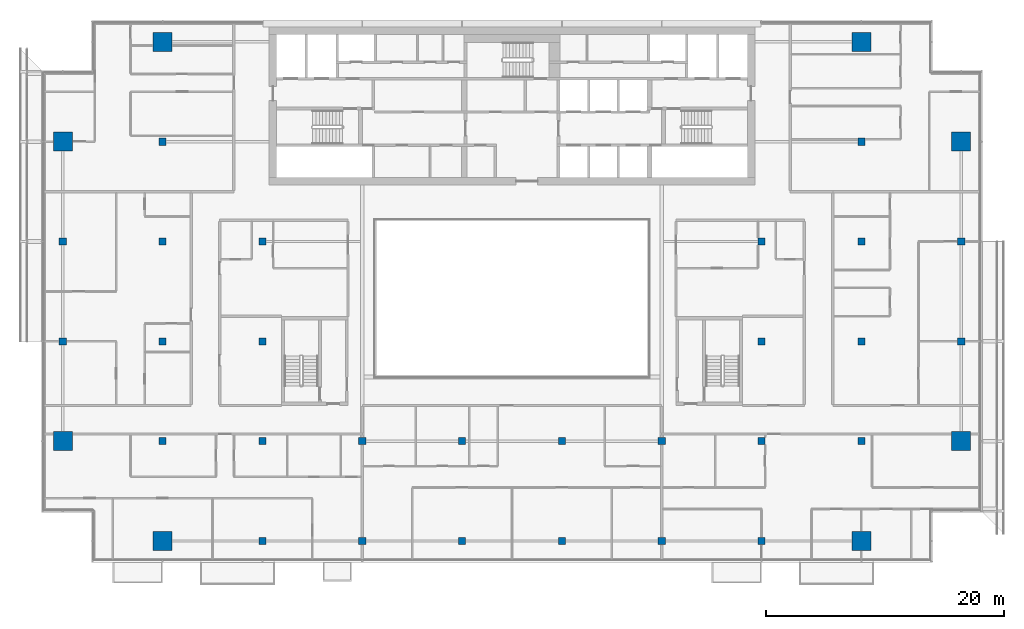
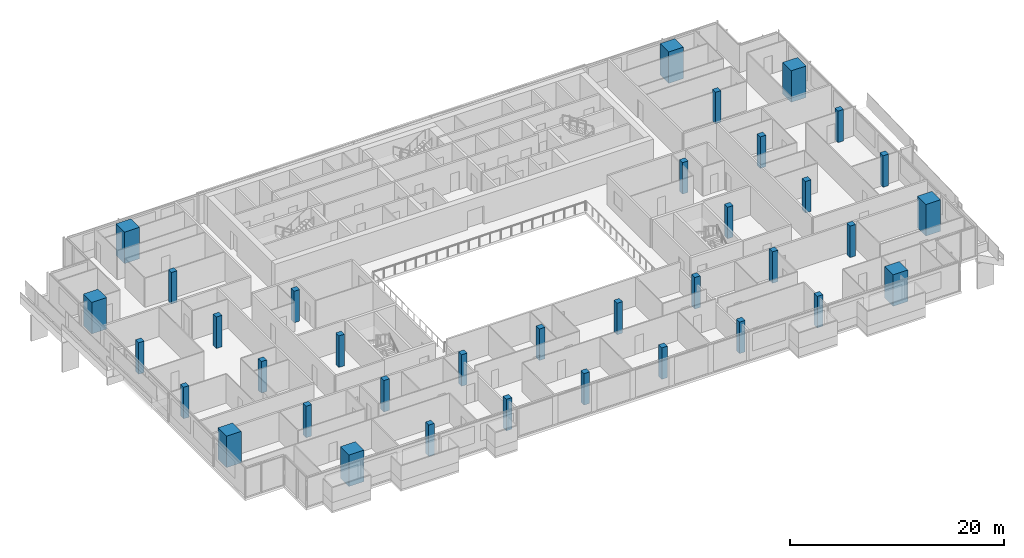
# One storey, part 1 of 29: 36 columns.
"""IFC4 building model written with IfcOpenShell, lengths in metres."""

from ifc_helpers import new_model, si_unit, direction, frame, origin, origin_2d, place, context, subcontext, project, spatial, rectangle, extrude, material, material_profile, profile_set, type_object, element, save


model = new_model("IFC4")

# Units and contexts
model_context = context("Model", 3, precision=1e-05, world=origin(), true_north=direction((0.0, 1.0)))
body_context = subcontext(model_context, "Body", "Model", "MODEL_VIEW")
ifc_project = project(units=[si_unit("LENGTHUNIT", "METRE"), si_unit("AREAUNIT", "SQUARE_METRE"), si_unit("VOLUMEUNIT", "CUBIC_METRE"), si_unit("PLANEANGLEUNIT", "RADIAN"), si_unit("MASSUNIT", "GRAM", prefix="KILO")], contexts=[model_context])

# Site, building, storey
site_placement = place(None, origin())
site = spatial("IfcSite", under=ifc_project, at=site_placement, CompositionType="ELEMENT")
building_placement = place(site_placement, origin())
building = spatial("IfcBuilding", under=site, at=building_placement, Name="Saffron Gate Tower", CompositionType="ELEMENT")
storey_placement = place(building_placement, frame((0.0, 0.0, 219.89990234375)))
storey = spatial("IfcBuildingStorey", under=building, at=storey_placement, Name="L53", CompositionType="ELEMENT", Elevation=219.89990234375)

# Columns
ifc_material_1 = material(Name="Concrete C50", Category="concrete")
ifc_material_profile_1 = material_profile(ifc_material_1, rectangle(XDim=0.60009765625, YDim=0.60009765625, at=origin_2d()))
ifc_profile_set_1 = profile_set([ifc_material_profile_1], Name="Concrete C50")
column_type_1 = type_object("IfcColumnType", Name="C2 RC 600x600 CONCRETE C50", PredefinedType="COLUMN", material=ifc_profile_set_1)
for number, where, z_axis, x_axis, name in (
    (1, (49.800048828125, 48.60009765625, 0.0), (0.0, 0.0, 1.0), (1.0, 0.0, 0.0), "C2 COLUMN X1-C"),
    (2, (49.800048828125, 57.0, 0.0), (0.0, 0.0, 1.0), (1.0, 0.0, 0.0), "C2 COLUMN X1-D"),
    (3, (58.199951171875, 40.199951171875, 0.0), (0.0, 0.0, 1.0), (1.0, 0.0, 0.0), "C2 COLUMN X2-B"),
    (4, (58.199951171875, 48.60009765625, 0.0), (0.0, 0.0, 1.0), (1.0, 0.0, 0.0), "C2 COLUMN X2-C"),
    (5, (58.199951171875, 57.0, 0.0), (0.0, 0.0, 1.0), (1.0, 0.0, 0.0), "C2 COLUMN X2-D"),
    (6, (58.199951171875, 65.39990234375, 0.0), (0.0, 0.0, 1.0), (1.0, 0.0, 0.0), "C2 COLUMN X2-E"),
    (7, (66.60009765625, 31.800048828125, 0.0), (0.0, 0.0, 1.0), (1.0, 0.0, 0.0), "C2 COLUMN X3-A"),
    (8, (66.60009765625, 40.199951171875, 0.0), (0.0, 0.0, 1.0), (1.0, 0.0, 0.0), "C2 COLUMN X3-B"),
    (9, (66.60009765625, 48.60009765625, 0.0), (0.0, 0.0, 1.0), (1.0, 0.0, 0.0), "C2 COLUMN X3-C"),
    (10, (66.60009765625, 57.0, 0.0), (0.0, 0.0, 1.0), (1.0, 0.0, 0.0), "C2 COLUMN X3-D"),
    (11, (75.0, 31.800048828125, 0.0), (0.0, 0.0, 1.0), (1.0, 0.0, 0.0), "C2 COLUMN X4-A"),
    (12, (75.0, 40.199951171875, 0.0), (0.0, 0.0, 1.0), (1.0, 0.0, 0.0), "C2 COLUMN X4-B"),
    (13, (83.39990234375, 31.800048828125, 0.0), (0.0, 0.0, 1.0), (1.0, 0.0, 0.0), "C2 COLUMN X5-A"),
    (14, (83.39990234375, 40.199951171875, 0.0), (0.0, 0.0, 1.0), (1.0, 0.0, 0.0), "C2 COLUMN X5-B"),
    (15, (91.800048828125, 31.800048828125, 0.0), (0.0, 0.0, 1.0), (1.0, 0.0, 0.0), "C2 COLUMN X6-A"),
    (16, (91.800048828125, 40.199951171875, 0.0), (0.0, 0.0, 1.0), (1.0, 0.0, 0.0), "C2 COLUMN X6-B"),
    (17, (100.199951171875, 31.800048828125, 0.0), (0.0, 0.0, 1.0), (1.0, 0.0, 0.0), "C2 COLUMN X7-A"),
    (18, (100.199951171875, 40.199951171875, 0.0), (0.0, 0.0, 1.0), (1.0, 0.0, 0.0), "C2 COLUMN X7-B"),
    (19, (108.60009765625, 31.800048828125, 0.0), (0.0, 0.0, 1.0), (1.0, 0.0, 0.0), "C2 COLUMN X8-A"),
    (20, (108.60009765625, 40.199951171875, 0.0), (0.0, 0.0, 1.0), (1.0, 0.0, 0.0), "C2 COLUMN X8-B"),
    (21, (108.60009765625, 48.60009765625, 0.0), (0.0, 0.0, 1.0), (1.0, 0.0, 0.0), "C2 COLUMN X8-C"),
    (22, (108.60009765625, 57.0, 0.0), (0.0, 0.0, 1.0), (1.0, 0.0, 0.0), "C2 COLUMN X8-D"),
    (23, (117.0, 40.199951171875, 0.0), (0.0, 0.0, 1.0), (1.0, 0.0, 0.0), "C2 COLUMN X9-B"),
    (24, (117.0, 48.60009765625, 0.0), (0.0, 0.0, 1.0), (1.0, 0.0, 0.0), "C2 COLUMN X9-C"),
    (25, (117.0, 57.0, 0.0), (0.0, 0.0, 1.0), (1.0, 0.0, 0.0), "C2 COLUMN X9-D"),
    (26, (117.0, 65.39990234375, 0.0), (0.0, 0.0, 1.0), (1.0, 0.0, 0.0), "C2 COLUMN X9-E"),
    (27, (125.39990234375, 48.60009765625, 0.0), (0.0, 0.0, 1.0), (1.0, 0.0, 0.0), "C2 COLUMN X10-C"),
    (28, (125.39990234375, 57.0, 0.0), (0.0, 0.0, 1.0), (1.0, 0.0, 0.0), "C2 COLUMN X10-D"),
):
    element("IfcColumn", number, at=place(storey_placement, frame(where, z_axis=z_axis, x_axis=x_axis)), inside=storey, type_object=column_type_1, Name=name, PredefinedType="COLUMN", context=body_context, shape_type="SweptSolid", body=[
        extrude(rectangle(XDim=0.60009765625, YDim=0.60009765625, at=origin_2d()), origin(), (0.0, 0.0, 1.0), 3.60009765625),
    ])
ifc_material_2 = material(Name="Concrete C70", Category="concrete")
ifc_material_profile_2 = material_profile(ifc_material_2, rectangle(XDim=1.60009765625, YDim=1.60009765625, at=origin_2d()))
ifc_profile_set_2 = profile_set([ifc_material_profile_2], Name="Concrete C70")
column_type_2 = type_object("IfcColumnType", Name="MC1 RC 1600x1600 CONCRETE C70", PredefinedType="COLUMN", material=ifc_profile_set_2)
for number, where, z_axis, x_axis, name in (
    (29, (49.800048828125, 40.199951171875, 0.0), (0.0, 0.0, 1.0), (1.0, 0.0, 0.0), "MC1 MEGA COLUMN X1-B"),
    (30, (49.800048828125, 65.39990234375, 0.0), (0.0, 0.0, 1.0), (1.0, 0.0, 0.0), "MC1 MEGA COLUMN X1-E"),
    (31, (58.199951171875, 31.800048828125, 0.0), (0.0, 0.0, 1.0), (1.0, 0.0, 0.0), "MC1 MEGA COLUMN X2-A"),
    (32, (58.199951171875, 73.800048828125, 0.0), (0.0, 0.0, 1.0), (1.0, 0.0, 0.0), "MC1 MEGA COLUMN X2-F"),
    (33, (117.0, 31.800048828125, 0.0), (0.0, 0.0, 1.0), (1.0, 0.0, 0.0), "MC1 MEGA COLUMN X9-A"),
    (34, (117.0, 73.800048828125, 0.0), (0.0, 0.0, 1.0), (1.0, 0.0, 0.0), "MC1 MEGA COLUMN X9-F"),
    (35, (125.39990234375, 40.199951171875, 0.0), (0.0, 0.0, 1.0), (1.0, 0.0, 0.0), "MC1 MEGA COLUMN X10-B"),
    (36, (125.39990234375, 65.39990234375, 0.0), (0.0, 0.0, 1.0), (1.0, 0.0, 0.0), "MC1 MEGA COLUMN X10-E"),
):
    element("IfcColumn", number, at=place(storey_placement, frame(where, z_axis=z_axis, x_axis=x_axis)), inside=storey, type_object=column_type_2, Name=name, PredefinedType="COLUMN", context=body_context, shape_type="SweptSolid", body=[
        extrude(rectangle(XDim=1.60009765625, YDim=1.60009765625, at=origin_2d()), origin(), (0.0, 0.0, 1.0), 3.60009765625),
    ])

save(model, "model.ifc")
